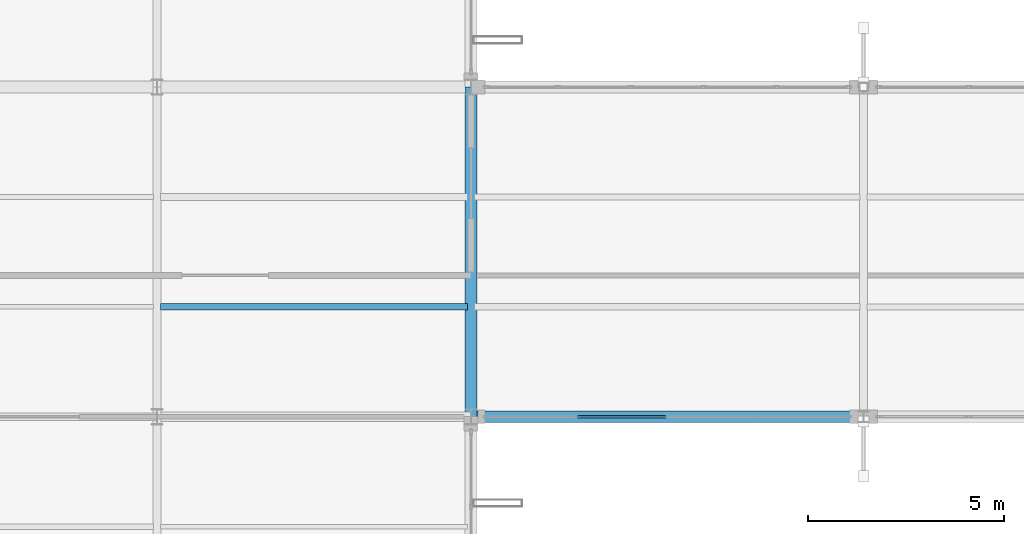
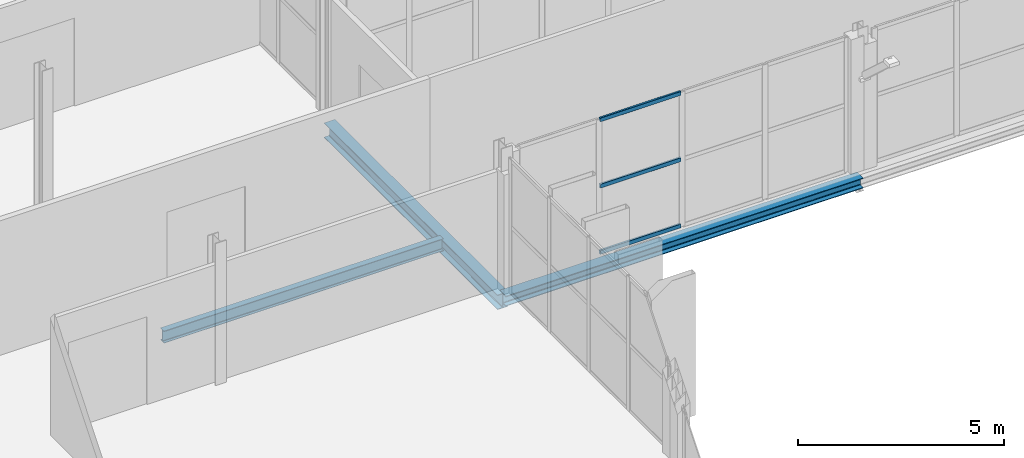
# One storey, part 38 of 101: 3 beams, 3 members, 1 element without a shape of its own.
"""IFC4 building model written with IfcOpenShell, lengths in metres."""

from ifc_helpers import new_model, si_unit, direction, frame, origin, origin_2d, place, context, subcontext, project, spatial, hollow_rectangle, i_section, extrude, material, layer, layer_set, material_profile, profile_set, type_object, element, aggregate, save


model = new_model("IFC4")

# Units and contexts
model_context = context("Model", 3, precision=1e-05, world=origin(), true_north=direction((0.0, 1.0)))
body_context = subcontext(model_context, "Body", "Model", "MODEL_VIEW")
ifc_project = project(units=[si_unit("LENGTHUNIT", "METRE"), si_unit("AREAUNIT", "SQUARE_METRE"), si_unit("VOLUMEUNIT", "CUBIC_METRE"), si_unit("PLANEANGLEUNIT", "RADIAN"), si_unit("MASSUNIT", "GRAM", prefix="KILO")], contexts=[model_context])

# Site, building, storey
site_placement = place(None, origin())
site = spatial("IfcSite", under=ifc_project, at=site_placement, CompositionType="ELEMENT")
building_placement = place(site_placement, origin())
building = spatial("IfcBuilding", under=site, at=building_placement, Name="Vekula Escarpment Museum", CompositionType="ELEMENT")
storey_placement = place(building_placement, frame((0.0, 0.0, 18.0)))
storey = spatial("IfcBuildingStorey", under=building, at=storey_placement, Name="L04", CompositionType="ELEMENT", Elevation=18.0)

# Beams
ifc_material_1 = material(Name="Steel S355", Category="steel")
ifc_material_profile_1 = material_profile(ifc_material_1, i_section(OverallWidth=0.300048828125, OverallDepth=0.300048828125, WebThickness=0.010986328125, FlangeThickness=0.01904296875, FilletRadius=0.027099609375, at=origin_2d()), Name="HEB 300")
ifc_profile_set_1 = profile_set([ifc_material_profile_1], Name="Steel S355")
beam_type_1 = type_object("IfcBeamType", Name="BM-GIRD-HEB300", PredefinedType="BEAM", material=ifc_profile_set_1)
beam_1_placement = place(storey_placement, frame((126.0, 68.0, -0.389892578125), z_axis=(1.0, 0.0, 0.0), x_axis=(0.0, 1.0, 0.0)))
element("IfcBeam", 1, at=beam_1_placement, inside=storey, type_object=beam_type_1, Name="Beam X L04 1734", PredefinedType="BEAM", context=body_context, shape_type="SweptSolid", body=[
    extrude(i_section(OverallWidth=0.300048828125, OverallDepth=0.300048828125, WebThickness=0.010986328125, FlangeThickness=0.01904296875, FilletRadius=0.027099609375, at=origin_2d()), origin(), (0.0, 0.0, 1.0), 10.0),
])
ifc_material_2 = material(Name="Steel S355", Category="steel")
ifc_material_profile_2 = material_profile(ifc_material_2, i_section(OverallWidth=0.169921875, OverallDepth=0.360107421875, WebThickness=0.008056640625, FlangeThickness=0.0126953125, FilletRadius=0.01806640625, at=origin_2d()), Name="IPE 360")
ifc_profile_set_2 = profile_set([ifc_material_profile_2], Name="Steel S355")
beam_type_2 = type_object("IfcBeamType", Name="BM-JST-IPE360", PredefinedType="JOIST", material=ifc_profile_set_2)
beam_2_placement = place(storey_placement, frame((118.090087890625, 70.800048828125, -0.419921875), z_axis=(1.0, 0.0, 0.0), x_axis=(0.0, 1.0, 0.0)))
element("IfcBeam", 2, at=beam_2_placement, inside=storey, type_object=beam_type_2, Name="Secondary Joist L04 1234", PredefinedType="JOIST", context=body_context, shape_type="SweptSolid", body=[
    extrude(i_section(OverallWidth=0.169921875, OverallDepth=0.360107421875, WebThickness=0.008056640625, FlangeThickness=0.0126953125, FilletRadius=0.01806640625, at=origin_2d()), origin(), (0.0, 0.0, 1.0), 7.81982421875),
])
ifc_material_3 = material(Name="Steel S355", Category="steel")
ifc_material_profile_3 = material_profile(ifc_material_3, i_section(OverallWidth=0.300048828125, OverallDepth=0.43994140625, WebThickness=0.011474609375, FlangeThickness=0.02099609375, FilletRadius=0.027099609375, at=origin_2d()), Name="HEA 450")
ifc_profile_set_3 = profile_set([ifc_material_profile_3], Name="Steel S355")
beam_type_3 = type_object("IfcBeamType", Name="BM-SPAN-HEA450", PredefinedType="SPANDREL", material=ifc_profile_set_3)
beam_3_placement = place(storey_placement, frame((126.0, 68.0, -0.4599609375), z_axis=(0.0, 1.0, 0.0), x_axis=(-1.0, 0.0, 0.0)))
element("IfcBeam", 3, at=beam_3_placement, inside=storey, type_object=beam_type_3, Name="Beam Y L04 1914", PredefinedType="SPANDREL", context=body_context, shape_type="SweptSolid", body=[
    extrude(i_section(OverallWidth=0.300048828125, OverallDepth=0.43994140625, WebThickness=0.011474609375, FlangeThickness=0.02099609375, FilletRadius=0.027099609375, at=origin_2d()), origin(), (0.0, 0.0, 1.0), 8.39990234375),
])

# Curtain wall, members
ifc_material_4 = material(Name="Aluminium thermally broken framing", Category="aluminium")
ifc_layer = layer(ifc_material_4, 0.159912109375)
ifc_layer_set = layer_set([ifc_layer], Name="Aluminium thermally broken framing")
curtain_wall_type = type_object("IfcCurtainWallType", Name="CW-SYS-02", PredefinedType="NOTDEFINED", material=ifc_layer_set)
curtain_wall_placement = place(storey_placement, origin())
curtain_wall = element("IfcCurtainWall", 4, at=curtain_wall_placement, inside=storey, type_object=curtain_wall_type, Name="Curtain Wall CW-L04-142", PredefinedType="NOTDEFINED")
ifc_material_5 = material(Name="Aluminium anodized transom", Category="aluminium")
ifc_material_profile_4 = material_profile(ifc_material_5, hollow_rectangle(XDim=0.06005859375, YDim=0.1201171875, WallThickness=0.00390625, InnerFilletRadius=0.00390625, OuterFilletRadius=0.008056640625, at=origin_2d()), Name="ALU 120x60x4")
ifc_profile_set_4 = profile_set([ifc_material_profile_4], Name="Aluminium anodized transom")
member_type = type_object("IfcMemberType", Name="CW-TRN-120", PredefinedType="USERDEFINED", material=ifc_profile_set_4)
member_1_placement = place(storey_placement, frame((128.7099609375, 68.0, 0.030029296875), z_axis=(1.0, 0.0, 0.0), x_axis=(0.0, 1.0, 0.0)))
member_1 = element("IfcMember", 5, at=member_1_placement, type_object=member_type, Name="CW-02 transom 2.1", ObjectType="TRANSOM", PredefinedType="USERDEFINED", context=body_context, shape_type="SweptSolid", body=[
    extrude(hollow_rectangle(XDim=0.06005859375, YDim=0.1201171875, WallThickness=0.00390625, InnerFilletRadius=0.00390625, OuterFilletRadius=0.008056640625, at=origin_2d()), origin(), (0.0, 0.0, 1.0), 2.260009765625),
])
member_2_placement = place(storey_placement, frame((128.7099609375, 68.0, 1.989990234375), z_axis=(1.0, 0.0, 0.0), x_axis=(0.0, 1.0, 0.0)))
member_2 = element("IfcMember", 6, at=member_2_placement, type_object=member_type, Name="CW-02 transom 2.2", ObjectType="TRANSOM", PredefinedType="USERDEFINED", context=body_context, shape_type="SweptSolid", body=[
    extrude(hollow_rectangle(XDim=0.06005859375, YDim=0.1201171875, WallThickness=0.00390625, InnerFilletRadius=0.00390625, OuterFilletRadius=0.008056640625, at=origin_2d()), origin(), (0.0, 0.0, 1.0), 2.260009765625),
])
member_3_placement = place(storey_placement, frame((128.7099609375, 68.0, 3.949951171875), z_axis=(1.0, 0.0, 0.0), x_axis=(0.0, 1.0, 0.0)))
member_3 = element("IfcMember", 7, at=member_3_placement, type_object=member_type, Name="CW-02 transom 2.3", ObjectType="TRANSOM", PredefinedType="USERDEFINED", context=body_context, shape_type="SweptSolid", body=[
    extrude(hollow_rectangle(XDim=0.06005859375, YDim=0.1201171875, WallThickness=0.00390625, InnerFilletRadius=0.00390625, OuterFilletRadius=0.008056640625, at=origin_2d()), origin(), (0.0, 0.0, 1.0), 2.260009765625),
])
aggregate(curtain_wall, [member_1, member_2, member_3])

save(model, "model.ifc")
